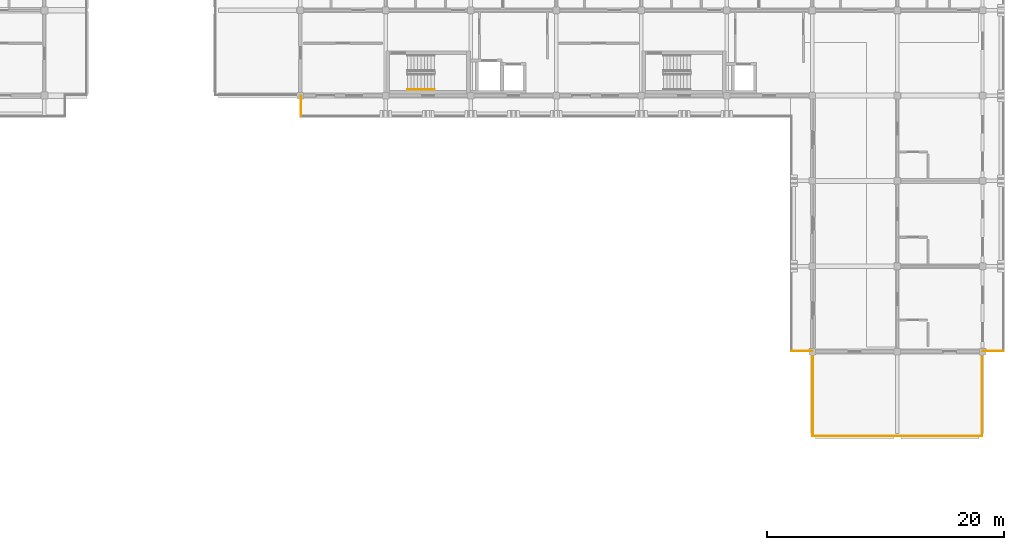
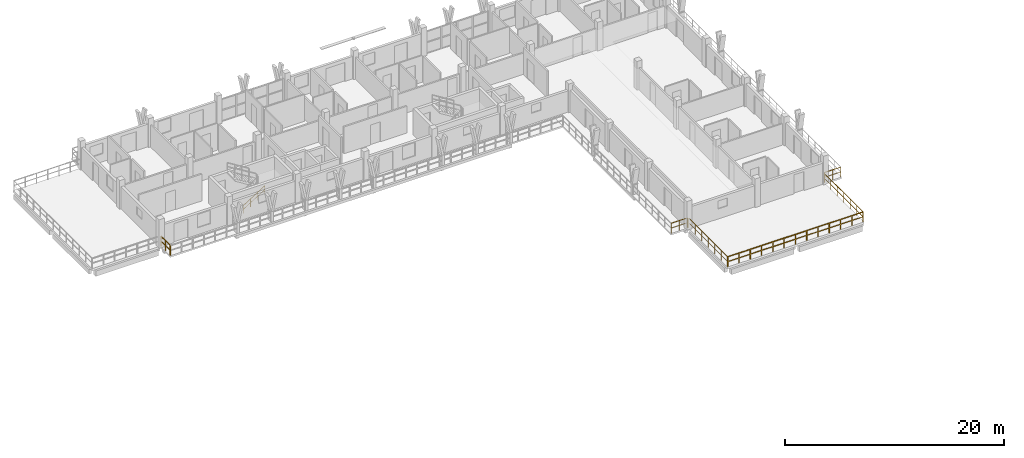
# One storey, part 70 of 73: 7 railings.
"""IFC4 building model written with IfcOpenShell, lengths in metres."""

from ifc_helpers import new_model, si_unit, direction, frame, origin, origin_2d, place, context, subcontext, project, spatial, rectangle, extrude, material, type_object, element, save


model = new_model("IFC4")

# Units and contexts
model_context = context("Model", 3, precision=1e-05, world=origin(), true_north=direction((0.0, 1.0)))
body_context = subcontext(model_context, "Body", "Model", "MODEL_VIEW")
ifc_project = project(units=[si_unit("LENGTHUNIT", "METRE"), si_unit("AREAUNIT", "SQUARE_METRE"), si_unit("VOLUMEUNIT", "CUBIC_METRE"), si_unit("PLANEANGLEUNIT", "RADIAN"), si_unit("MASSUNIT", "GRAM", prefix="KILO")], contexts=[model_context])

# Site, building, storey
site_placement = place(None, origin())
site = spatial("IfcSite", under=ifc_project, at=site_placement, CompositionType="ELEMENT")
building_placement = place(site_placement, origin())
building = spatial("IfcBuilding", under=site, at=building_placement, Name="Suanplinth Sawtooth Commons", CompositionType="ELEMENT")
storey_placement = place(building_placement, frame((0.0, 0.0, 21.89990234375)))
storey = spatial("IfcBuildingStorey", under=building, at=storey_placement, Name="L06", CompositionType="ELEMENT", Elevation=21.89990234375)

# Railings
ifc_material_1 = material(Name="Powder-coated galvanized steel", Category="steel")
railing_type_1 = type_object("IfcRailingType", Name="GR-01", PredefinedType="BALUSTRADE", material=ifc_material_1)
railing_1_placement = place(storey_placement, frame((172.780029296875, 86.4599609375, 0.0)))
element("IfcRailing", 1, at=railing_1_placement, inside=storey, type_object=railing_type_1, Name="L06 Block B Perimeter Balustrade 1", PredefinedType="BALUSTRADE", context=body_context, shape_type="SweptSolid", body=[
    extrude(rectangle(XDim=0.048095703125, YDim=0.048095703125, at=origin_2d()), frame((0.0, 0.0, 1.09619140625), z_axis=(-1.0, 0.0, 0.0), x_axis=(0.0, -1.0, 0.0)), (0.0, 0.0, 1.0), 1.719970703125),
    extrude(rectangle(XDim=0.03369140625, YDim=0.03369140625, at=origin_2d()), frame((0.0, 0.0, 0.56005859375), z_axis=(-1.0, 0.0, 0.0), x_axis=(0.0, -1.0, 0.0)), (0.0, 0.0, 1.0), 1.719970703125),
    extrude(rectangle(XDim=0.0419921875, YDim=0.0419921875, at=origin_2d()), origin(), (0.0, 0.0, 1.0), 1.072021484375),
    extrude(rectangle(XDim=0.0419921875, YDim=0.0419921875, at=origin_2d()), frame((-0.85986328125, 0.0, 0.0)), (0.0, 0.0, 1.0), 1.072021484375),
    extrude(rectangle(XDim=0.0419921875, YDim=0.0419921875, at=origin_2d()), frame((-1.719970703125, 0.0, 0.0)), (0.0, 0.0, 1.0), 1.072021484375),
])
railing_2_placement = place(storey_placement, frame((129.659912109375, 106.260009765625, 0.0)))
element("IfcRailing", 2, at=railing_2_placement, inside=storey, type_object=railing_type_1, Name="L06 Block B Perimeter Balustrade 4", PredefinedType="BALUSTRADE", context=body_context, shape_type="SweptSolid", body=[
    extrude(rectangle(XDim=0.048095703125, YDim=0.048095703125, at=origin_2d()), frame((0.0, 0.0, 1.09619140625), z_axis=(0.0, 1.0, 0.0), x_axis=(-1.0, 0.0, 0.0)), (0.0, 0.0, 1.0), 1.719970703125),
    extrude(rectangle(XDim=0.03369140625, YDim=0.03369140625, at=origin_2d()), frame((0.0, 0.0, 0.56005859375), z_axis=(0.0, 1.0, 0.0), x_axis=(-1.0, 0.0, 0.0)), (0.0, 0.0, 1.0), 1.719970703125),
    extrude(rectangle(XDim=0.0419921875, YDim=0.0419921875, at=origin_2d()), origin(), (0.0, 0.0, 1.0), 1.072021484375),
    extrude(rectangle(XDim=0.0419921875, YDim=0.0419921875, at=origin_2d()), frame((0.0, 0.85986328125, 0.0)), (0.0, 0.0, 1.0), 1.072021484375),
    extrude(rectangle(XDim=0.0419921875, YDim=0.0419921875, at=origin_2d()), frame((0.0, 1.719970703125, 0.0)), (0.0, 0.0, 1.0), 1.072021484375),
])
railing_3_placement = place(storey_placement, frame((188.93994140625, 86.4599609375, 0.0)))
element("IfcRailing", 3, at=railing_3_placement, inside=storey, type_object=railing_type_1, Name="L06 Block B Perimeter Balustrade 11", PredefinedType="BALUSTRADE", context=body_context, shape_type="SweptSolid", body=[
    extrude(rectangle(XDim=0.048095703125, YDim=0.048095703125, at=origin_2d()), frame((0.0, 0.0, 1.09619140625), z_axis=(-1.0, 0.0, 0.0), x_axis=(0.0, -1.0, 0.0)), (0.0, 0.0, 1.0), 1.719970703125),
    extrude(rectangle(XDim=0.03369140625, YDim=0.03369140625, at=origin_2d()), frame((0.0, 0.0, 0.56005859375), z_axis=(-1.0, 0.0, 0.0), x_axis=(0.0, -1.0, 0.0)), (0.0, 0.0, 1.0), 1.719970703125),
    extrude(rectangle(XDim=0.0419921875, YDim=0.0419921875, at=origin_2d()), origin(), (0.0, 0.0, 1.0), 1.072021484375),
    extrude(rectangle(XDim=0.0419921875, YDim=0.0419921875, at=origin_2d()), frame((-0.85986328125, 0.0, 0.0)), (0.0, 0.0, 1.0), 1.072021484375),
    extrude(rectangle(XDim=0.0419921875, YDim=0.0419921875, at=origin_2d()), frame((-1.719970703125, 0.0, 0.0)), (0.0, 0.0, 1.0), 1.072021484375),
])
railing_4_placement = place(storey_placement, frame((187.139892578125, 86.3798828125, 0.0)))
element("IfcRailing", 4, at=railing_4_placement, inside=storey, type_object=railing_type_1, Name="L06 Block B Perimeter Balustrade 12", PredefinedType="BALUSTRADE", context=body_context, shape_type="SweptSolid", body=[
    extrude(rectangle(XDim=0.048095703125, YDim=0.048095703125, at=origin_2d()), frame((0.0, 0.0, 1.09619140625), z_axis=(0.0, -1.0, 0.0), x_axis=(1.0, 0.0, 0.0)), (0.0, 0.0, 1.0), 7.119873046875),
    extrude(rectangle(XDim=0.03369140625, YDim=0.03369140625, at=origin_2d()), frame((0.0, 0.0, 0.56005859375), z_axis=(0.0, -1.0, 0.0), x_axis=(1.0, 0.0, 0.0)), (0.0, 0.0, 1.0), 7.119873046875),
    extrude(rectangle(XDim=0.0419921875, YDim=0.0419921875, at=origin_2d()), origin(), (0.0, 0.0, 1.0), 1.072021484375),
    extrude(rectangle(XDim=0.0419921875, YDim=0.0419921875, at=origin_2d()), frame((0.0, -1.1865234375, 0.0)), (0.0, 0.0, 1.0), 1.072021484375),
    extrude(rectangle(XDim=0.0419921875, YDim=0.0419921875, at=origin_2d()), frame((0.0, -2.373291015625, 0.0)), (0.0, 0.0, 1.0), 1.072021484375),
    extrude(rectangle(XDim=0.0419921875, YDim=0.0419921875, at=origin_2d()), frame((0.0, -3.56005859375, 0.0)), (0.0, 0.0, 1.0), 1.072021484375),
    extrude(rectangle(XDim=0.0419921875, YDim=0.0419921875, at=origin_2d()), frame((0.0, -4.74658203125, 0.0)), (0.0, 0.0, 1.0), 1.072021484375),
    extrude(rectangle(XDim=0.0419921875, YDim=0.0419921875, at=origin_2d()), frame((0.0, -5.93310546875, 0.0)), (0.0, 0.0, 1.0), 1.072021484375),
    extrude(rectangle(XDim=0.0419921875, YDim=0.0419921875, at=origin_2d()), frame((0.0, -7.119873046875, 0.0)), (0.0, 0.0, 1.0), 1.072021484375),
])
railing_5_placement = place(storey_placement, frame((187.139892578125, 79.260009765625, 0.0)))
element("IfcRailing", 5, at=railing_5_placement, inside=storey, type_object=railing_type_1, Name="L06 Block B Perimeter Balustrade 13", PredefinedType="BALUSTRADE", context=body_context, shape_type="SweptSolid", body=[
    extrude(rectangle(XDim=0.048095703125, YDim=0.048095703125, at=origin_2d()), frame((0.0, 0.0, 1.09619140625), z_axis=(-1.0, 0.0, 0.0), x_axis=(0.0, -1.0, 0.0)), (0.0, 0.0, 1.0), 14.27978515625),
    extrude(rectangle(XDim=0.03369140625, YDim=0.03369140625, at=origin_2d()), frame((0.0, 0.0, 0.56005859375), z_axis=(-1.0, 0.0, 0.0), x_axis=(0.0, -1.0, 0.0)), (0.0, 0.0, 1.0), 14.27978515625),
    extrude(rectangle(XDim=0.0419921875, YDim=0.0419921875, at=origin_2d()), origin(), (0.0, 0.0, 1.0), 1.072021484375),
    extrude(rectangle(XDim=0.0419921875, YDim=0.0419921875, at=origin_2d()), frame((-1.18994140625, 0.0, 0.0)), (0.0, 0.0, 1.0), 1.072021484375),
    extrude(rectangle(XDim=0.0419921875, YDim=0.0419921875, at=origin_2d()), frame((-2.3798828125, 0.0, 0.0)), (0.0, 0.0, 1.0), 1.072021484375),
    extrude(rectangle(XDim=0.0419921875, YDim=0.0419921875, at=origin_2d()), frame((-3.56982421875, 0.0, 0.0)), (0.0, 0.0, 1.0), 1.072021484375),
    extrude(rectangle(XDim=0.0419921875, YDim=0.0419921875, at=origin_2d()), frame((-4.760009765625, 0.0, 0.0)), (0.0, 0.0, 1.0), 1.072021484375),
    extrude(rectangle(XDim=0.0419921875, YDim=0.0419921875, at=origin_2d()), frame((-5.949951171875, 0.0, 0.0)), (0.0, 0.0, 1.0), 1.072021484375),
    extrude(rectangle(XDim=0.0419921875, YDim=0.0419921875, at=origin_2d()), frame((-7.139892578125, 0.0, 0.0)), (0.0, 0.0, 1.0), 1.072021484375),
    extrude(rectangle(XDim=0.0419921875, YDim=0.0419921875, at=origin_2d()), frame((-8.329833984375, 0.0, 0.0)), (0.0, 0.0, 1.0), 1.072021484375),
    extrude(rectangle(XDim=0.0419921875, YDim=0.0419921875, at=origin_2d()), frame((-9.519775390625, 0.0, 0.0)), (0.0, 0.0, 1.0), 1.072021484375),
    extrude(rectangle(XDim=0.0419921875, YDim=0.0419921875, at=origin_2d()), frame((-10.7099609375, 0.0, 0.0)), (0.0, 0.0, 1.0), 1.072021484375),
    extrude(rectangle(XDim=0.0419921875, YDim=0.0419921875, at=origin_2d()), frame((-11.89990234375, 0.0, 0.0)), (0.0, 0.0, 1.0), 1.072021484375),
    extrude(rectangle(XDim=0.0419921875, YDim=0.0419921875, at=origin_2d()), frame((-13.08984375, 0.0, 0.0)), (0.0, 0.0, 1.0), 1.072021484375),
    extrude(rectangle(XDim=0.0419921875, YDim=0.0419921875, at=origin_2d()), frame((-14.27978515625, 0.0, 0.0)), (0.0, 0.0, 1.0), 1.072021484375),
])
railing_6_placement = place(storey_placement, frame((172.860107421875, 79.260009765625, 0.0)))
element("IfcRailing", 6, at=railing_6_placement, inside=storey, type_object=railing_type_1, Name="L06 Block B Perimeter Balustrade 14", PredefinedType="BALUSTRADE", context=body_context, shape_type="SweptSolid", body=[
    extrude(rectangle(XDim=0.048095703125, YDim=0.048095703125, at=origin_2d()), frame((0.0, 0.0, 1.09619140625), z_axis=(0.0, 1.0, 0.0), x_axis=(-1.0, 0.0, 0.0)), (0.0, 0.0, 1.0), 7.119873046875),
    extrude(rectangle(XDim=0.03369140625, YDim=0.03369140625, at=origin_2d()), frame((0.0, 0.0, 0.56005859375), z_axis=(0.0, 1.0, 0.0), x_axis=(-1.0, 0.0, 0.0)), (0.0, 0.0, 1.0), 7.119873046875),
    extrude(rectangle(XDim=0.0419921875, YDim=0.0419921875, at=origin_2d()), origin(), (0.0, 0.0, 1.0), 1.072021484375),
    extrude(rectangle(XDim=0.0419921875, YDim=0.0419921875, at=origin_2d()), frame((0.0, 1.1865234375, 0.0)), (0.0, 0.0, 1.0), 1.072021484375),
    extrude(rectangle(XDim=0.0419921875, YDim=0.0419921875, at=origin_2d()), frame((0.0, 2.373291015625, 0.0)), (0.0, 0.0, 1.0), 1.072021484375),
    extrude(rectangle(XDim=0.0419921875, YDim=0.0419921875, at=origin_2d()), frame((0.0, 3.56005859375, 0.0)), (0.0, 0.0, 1.0), 1.072021484375),
    extrude(rectangle(XDim=0.0419921875, YDim=0.0419921875, at=origin_2d()), frame((0.0, 4.74658203125, 0.0)), (0.0, 0.0, 1.0), 1.072021484375),
    extrude(rectangle(XDim=0.0419921875, YDim=0.0419921875, at=origin_2d()), frame((0.0, 5.93310546875, 0.0)), (0.0, 0.0, 1.0), 1.072021484375),
    extrude(rectangle(XDim=0.0419921875, YDim=0.0419921875, at=origin_2d()), frame((0.0, 7.119873046875, 0.0)), (0.0, 0.0, 1.0), 1.072021484375),
])
ifc_material_2 = material(Name="Stainless steel Grade 304", Category="steel")
railing_type_2 = type_object("IfcRailingType", Name="HR-01", PredefinedType="HANDRAIL", material=ifc_material_2)
railing_7_placement = place(storey_placement, frame((138.64990234375, 108.5, 0.177978515625)))
element("IfcRailing", 7, at=railing_7_placement, inside=storey, type_object=railing_type_2, Name="L06 ST-E1 Handrail 1", PredefinedType="HANDRAIL", context=body_context, shape_type="SweptSolid", body=[
    extrude(rectangle(XDim=0.048095703125, YDim=0.048095703125, at=origin_2d()), frame((0.0, 0.0, 0.8759765625), z_axis=(0.848482842525, 0.0, 0.529222888715), x_axis=(0.0, 1.0, 0.0)), (0.0, 0.0, 1.0), 2.687255859375),
    extrude(rectangle(XDim=0.03369140625, YDim=0.03369140625, at=origin_2d()), frame((0.0, 0.0, 0.449951171875), z_axis=(0.848482842525, 0.0, 0.529222888715), x_axis=(0.0, 1.0, 0.0)), (0.0, 0.0, 1.0), 2.687255859375),
    extrude(rectangle(XDim=0.0419921875, YDim=0.0419921875, at=origin_2d()), origin(), (0.0, 0.0, 1.0), 0.851806640625),
    extrude(rectangle(XDim=0.0419921875, YDim=0.0419921875, at=origin_2d()), frame((0.760009765625, 0.0, 0.47412109375)), (0.0, 0.0, 1.0), 0.851806640625),
    extrude(rectangle(XDim=0.0419921875, YDim=0.0419921875, at=origin_2d()), frame((1.52001953125, 0.0, 0.947998046875)), (0.0, 0.0, 1.0), 0.851806640625),
    extrude(rectangle(XDim=0.0419921875, YDim=0.0419921875, at=origin_2d()), frame((2.280029296875, 0.0, 1.422119140625)), (0.0, 0.0, 1.0), 0.851806640625),
])

save(model, "model.ifc")
